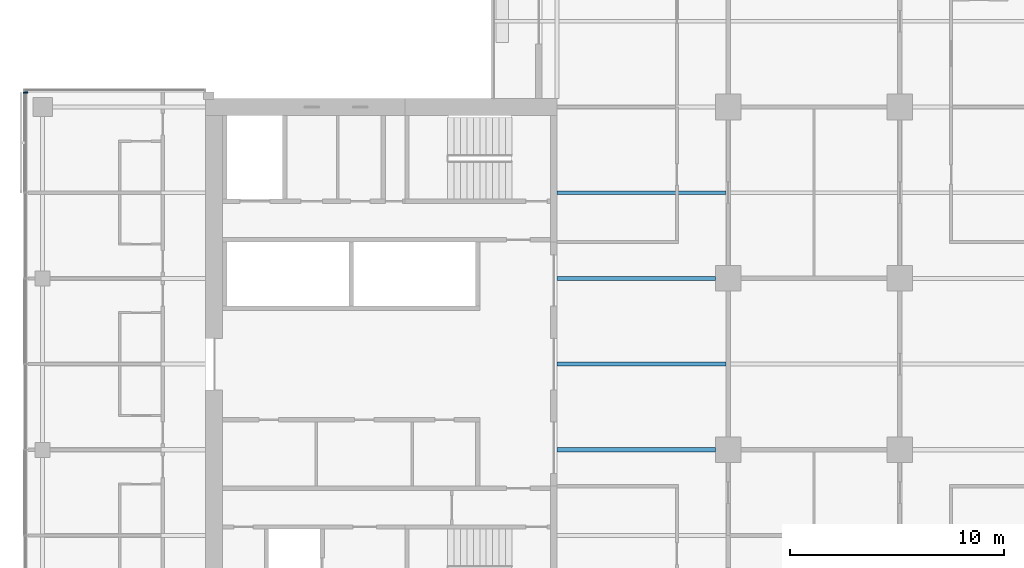
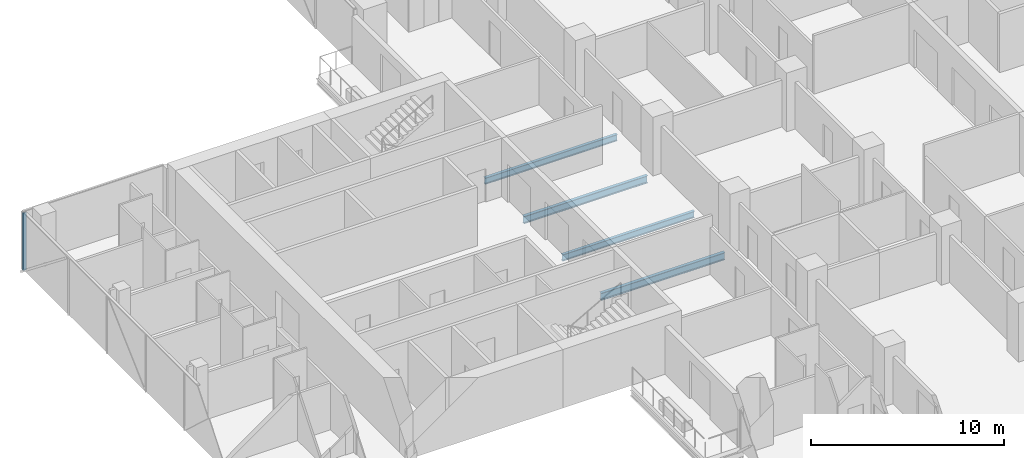
# One storey, part 7 of 27: 4 beams, 1 member, 1 element without a shape of its own.
"""IFC4 building model written with IfcOpenShell, lengths in metres."""

from ifc_helpers import new_model, si_unit, direction, frame, origin, origin_2d, place, context, subcontext, project, spatial, rectangle, i_section, extrude, material, material_profile, profile_set, type_object, element, aggregate, save


model = new_model("IFC4")

# Units and contexts
model_context = context("Model", 3, precision=1e-05, world=origin(), true_north=direction((0.0, 1.0)))
body_context = subcontext(model_context, "Body", "Model", "MODEL_VIEW")
ifc_project = project(units=[si_unit("LENGTHUNIT", "METRE"), si_unit("AREAUNIT", "SQUARE_METRE"), si_unit("VOLUMEUNIT", "CUBIC_METRE"), si_unit("PLANEANGLEUNIT", "RADIAN"), si_unit("MASSUNIT", "GRAM", prefix="KILO")], contexts=[model_context])

# Site, building, storey
site_placement = place(None, origin())
site = spatial("IfcSite", under=ifc_project, at=site_placement, CompositionType="ELEMENT")
building_placement = place(site_placement, origin())
building = spatial("IfcBuilding", under=site, at=building_placement, Name="Crosswind Convention Tower", CompositionType="ELEMENT")
storey_placement = place(building_placement, frame((0.0, 0.0, 64.60009765625)))
storey = spatial("IfcBuildingStorey", under=building, at=storey_placement, Name="L10", CompositionType="ELEMENT", Elevation=64.60009765625)

# Beams
ifc_material_1 = material(Name="Steel S355", Category="steel")
ifc_material_profile_1 = material_profile(ifc_material_1, i_section(OverallWidth=0.19189453125, OverallDepth=0.463623046875, WebThickness=0.010498046875, FlangeThickness=0.017578125, FilletRadius=0.01025390625, at=origin_2d()), Name="UB 457x191x90")
ifc_profile_set_1 = profile_set([ifc_material_profile_1], Name="Steel S355")
beam_type_1 = type_object("IfcBeamType", Name="Girder at core wall UB 457x191x90", PredefinedType="BEAM", material=ifc_profile_set_1)
for number, where, z_axis, x_axis, name in (
    (1, (113.0, 96.0, -0.511962890625), (1.0, 0.0, 0.0), (0.0, 1.0, 0.0), "B24 L10 girder at core wall 4"),
    (2, (113.0, 104.0, -0.511962890625), (1.0, 0.0, 0.0), (0.0, 1.0, 0.0), "B24 L10 girder at core wall 5"),
):
    element("IfcBeam", number, at=place(storey_placement, frame(where, z_axis=z_axis, x_axis=x_axis)), inside=storey, type_object=beam_type_1, Name=name, PredefinedType="BEAM", context=body_context, shape_type="SweptSolid", body=[
        extrude(i_section(OverallWidth=0.19189453125, OverallDepth=0.463623046875, WebThickness=0.010498046875, FlangeThickness=0.017578125, FilletRadius=0.01025390625, at=origin_2d()), origin(), (0.0, 0.0, 1.0), 7.39990234375),
    ])

# Curtain wall, member
ifc_material_2 = material(Name="Aluminium unitised curtain wall", Category="aluminium")
curtain_wall_type = type_object("IfcCurtainWallType", Name="HOTEL UNITISED WALL 200", PredefinedType="USERDEFINED", material=ifc_material_2)
curtain_wall_placement = place(storey_placement, origin())
curtain_wall = element("IfcCurtainWall", 3, at=curtain_wall_placement, inside=storey, type_object=curtain_wall_type, Name="CW2 L10 W-TIP 1", ObjectType="UNITISED", PredefinedType="USERDEFINED")
ifc_material_3 = material(Name="Aluminium mullion", Category="aluminium")
ifc_material_profile_2 = material_profile(ifc_material_3, rectangle(XDim=0.199951171875, YDim=0.06494140625, at=origin_2d()), Name="AL 200X65")
ifc_profile_set_2 = profile_set([ifc_material_profile_2], Name="Aluminium mullion")
member_type = type_object("IfcMemberType", Name="MULLION 65X200", PredefinedType="MULLION", material=ifc_profile_set_2)
member_placement = place(storey_placement, frame((88.199951171875, 112.66748046875, -0.280029296875), z_axis=(0.0, 0.0, 1.0), x_axis=(-1.0, 0.0, 0.0)))
member = element("IfcMember", 4, at=member_placement, type_object=member_type, Name="CW2 mullion 1", PredefinedType="MULLION", context=body_context, shape_type="SweptSolid", body=[
    extrude(rectangle(XDim=0.199951171875, YDim=0.06494140625, at=origin_2d()), origin(), (0.0, 0.0, 1.0), 3.635009765625),
])
aggregate(curtain_wall, [member])

# Beams
ifc_material_profile_3 = material_profile(ifc_material_1, i_section(OverallWidth=0.177734375, OverallDepth=0.406494140625, WebThickness=0.0078125, FlangeThickness=0.0126953125, FilletRadius=0.01025390625, at=origin_2d()), Name="UB 406x178x60")
ifc_profile_set_3 = profile_set([ifc_material_profile_3], Name="Steel S355")
beam_type_2 = type_object("IfcBeamType", Name="Secondary beam UB 406x178x60", PredefinedType="JOIST", material=ifc_profile_set_3)
for number, where, z_axis, x_axis, name in (
    (5, (113.0, 100.0, -0.4833984375), (1.0, 0.0, 0.0), (0.0, 1.0, 0.0), "B10 L10 secondary beam 5"),
    (6, (113.0, 108.0, -0.4833984375), (1.0, 0.0, 0.0), (0.0, 1.0, 0.0), "B10 L10 secondary beam 6"),
):
    element("IfcBeam", number, at=place(storey_placement, frame(where, z_axis=z_axis, x_axis=x_axis)), inside=storey, type_object=beam_type_2, Name=name, PredefinedType="JOIST", context=body_context, shape_type="SweptSolid", body=[
        extrude(i_section(OverallWidth=0.177734375, OverallDepth=0.406494140625, WebThickness=0.0078125, FlangeThickness=0.0126953125, FilletRadius=0.01025390625, at=origin_2d()), origin(), (0.0, 0.0, 1.0), 7.904296875),
    ])

save(model, "model.ifc")
